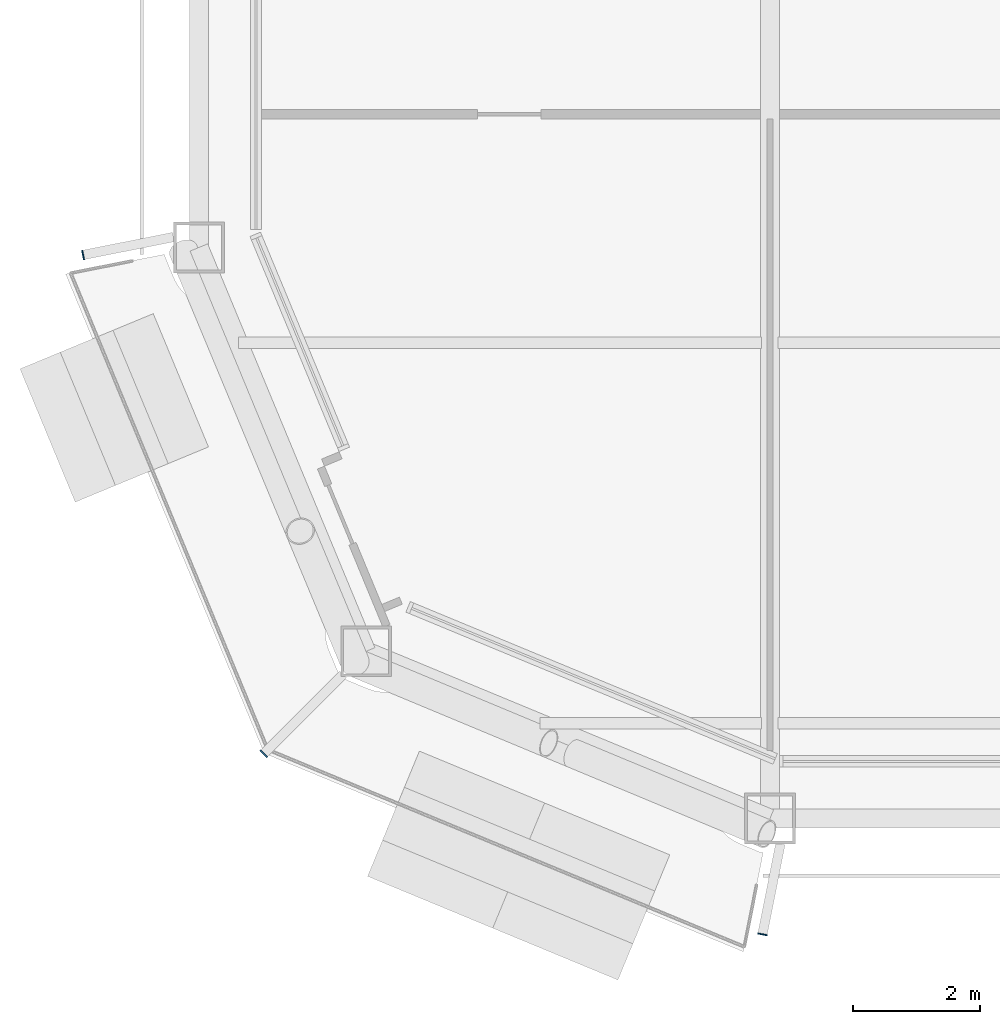
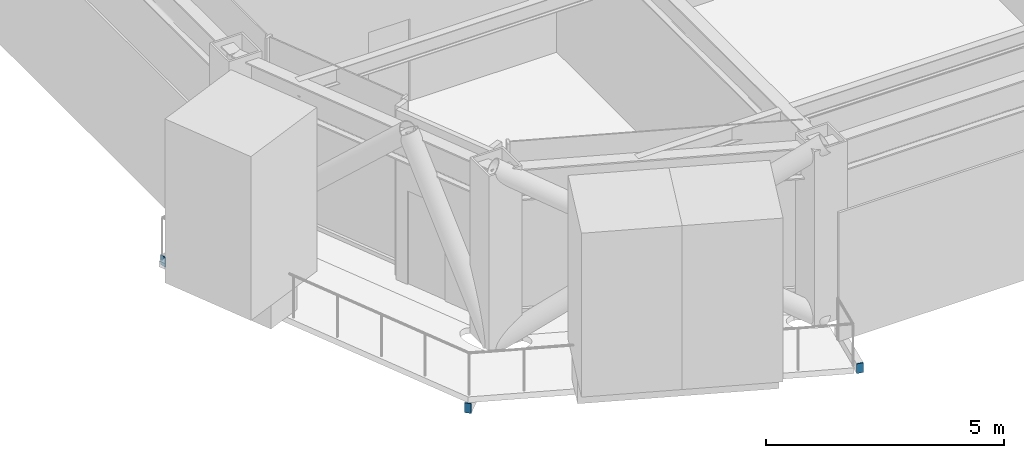
# One storey, part 17 of 23: 3 discrete accessories.
"""IFC4 building model written with IfcOpenShell, lengths in metres."""

from ifc_helpers import new_model, si_unit, direction, frame, origin, origin_2d, place, context, subcontext, project, spatial, rectangle, extrude, material, layer, layer_set, type_object, element, save


model = new_model("IFC4")

# Units and contexts
model_context = context("Model", 3, precision=1e-05, world=origin(), true_north=direction((0.0, 1.0)))
body_context = subcontext(model_context, "Body", "Model", "MODEL_VIEW")
ifc_project = project(units=[si_unit("LENGTHUNIT", "METRE"), si_unit("AREAUNIT", "SQUARE_METRE"), si_unit("VOLUMEUNIT", "CUBIC_METRE"), si_unit("PLANEANGLEUNIT", "RADIAN"), si_unit("MASSUNIT", "GRAM", prefix="KILO")], contexts=[model_context])

# Site, building, storey
site_placement = place(None, origin())
site = spatial("IfcSite", under=ifc_project, at=site_placement, CompositionType="ELEMENT")
building_placement = place(site_placement, origin())
building = spatial("IfcBuilding", under=site, at=building_placement, Name="Siwar Civic Tower", CompositionType="ELEMENT")
storey_placement = place(building_placement, frame((0.0, 0.0, 251.199951171875)))
storey = spatial("IfcBuildingStorey", under=building, at=storey_placement, Name="L54", CompositionType="ELEMENT", Elevation=251.199951171875)

# Discrete accessories
ifc_material = material(Name="Steel S355", Category="steel")
ifc_layer = layer(ifc_material, 0.02001953125)
ifc_layer_set = layer_set([ifc_layer], Name="Steel S355")
discrete_accessory_type = type_object("IfcDiscreteAccessoryType", Name="STR-END-CAP", PredefinedType="USERDEFINED", material=ifc_layer_set)
for number, where, z_axis, x_axis, name in (
    (1, (-28.8251953125, -18.118408203125, -0.39990234375), (0.0, 0.0, 1.0), (-0.980785280468, -0.195090321691, 0.0), "End cap plate Balcony cantilever beam SW 1"),
    (2, (-25.978271484375, -25.978271484375, -0.39990234375), (0.0, 0.0, 1.0), (-0.707106781187, -0.707106781187, 0.0), "End cap plate Balcony cantilever beam SW 2"),
    (3, (-18.118408203125, -28.8251953125, -0.39990234375), (0.0, 0.0, 1.0), (-0.195090321691, -0.980785280468, 0.0), "End cap plate Balcony cantilever beam SW 3"),
):
    element("IfcDiscreteAccessory", number, at=place(storey_placement, frame(where, z_axis=z_axis, x_axis=x_axis)), inside=storey, type_object=discrete_accessory_type, Name=name, ObjectType="END CAP PLATE", PredefinedType="USERDEFINED", context=body_context, shape_type="SweptSolid", body=[
        extrude(rectangle(XDim=0.02001953125, YDim=0.14990234375, at=origin_2d()), origin(), (0.0, 0.0, 1.0), 0.25),
    ])

save(model, "model.ifc")
